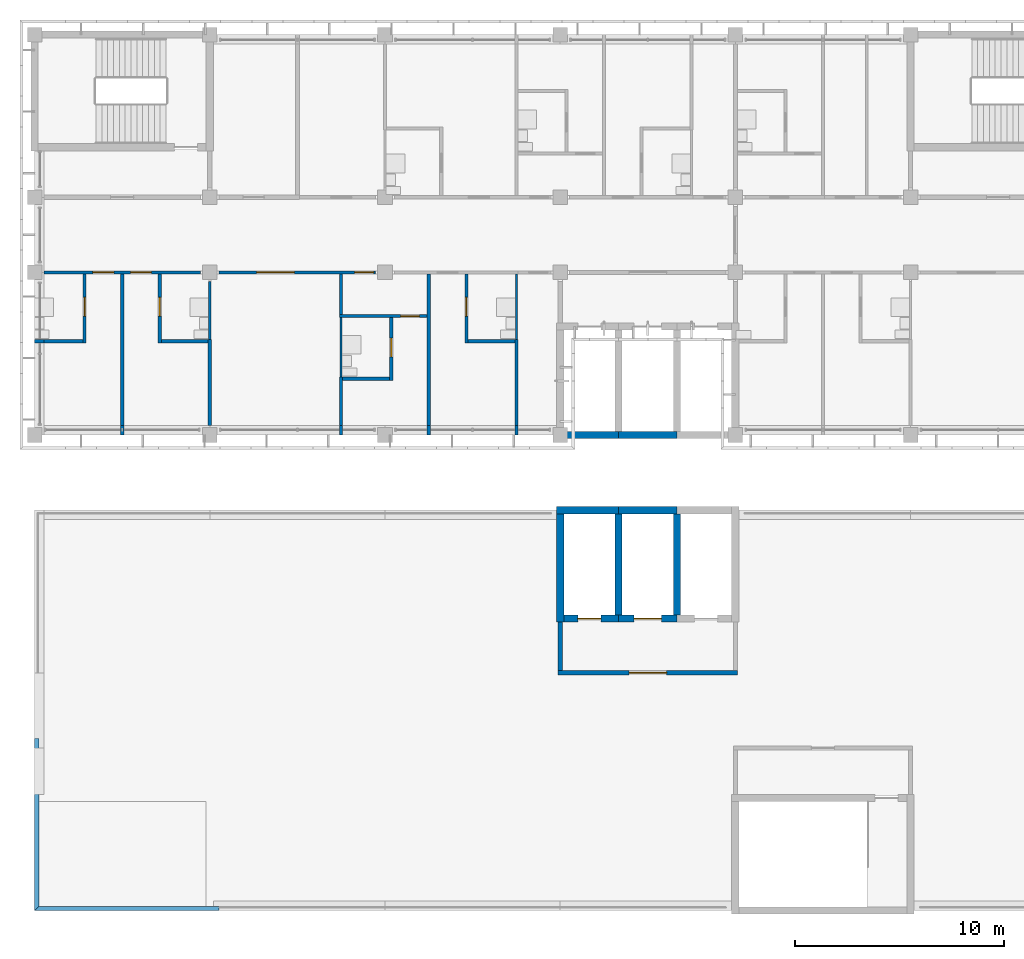
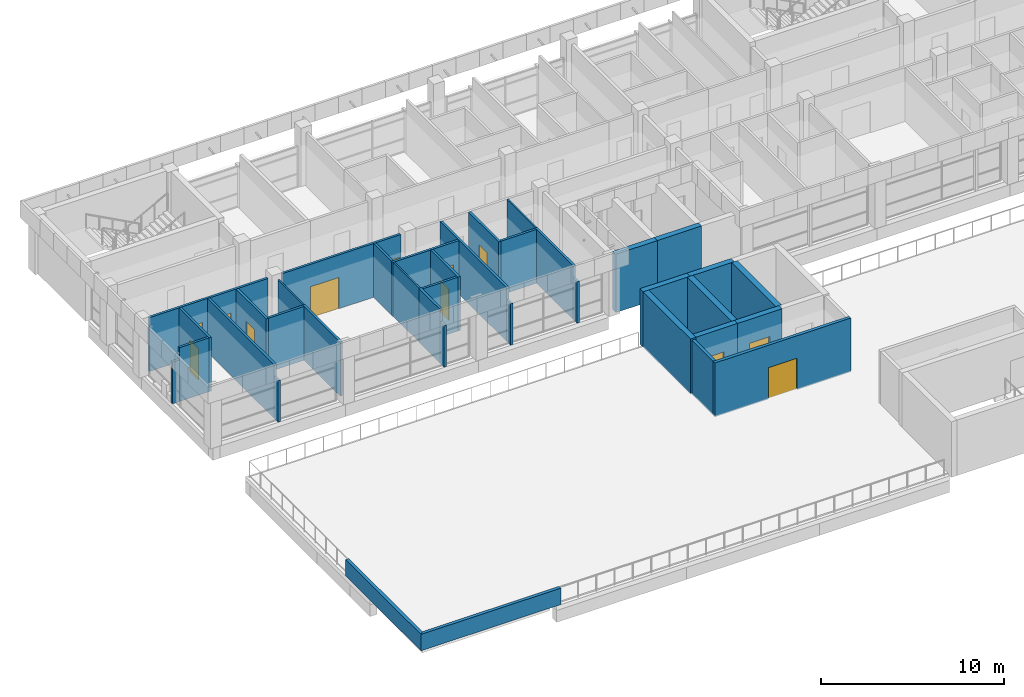
# One storey, part 18 of 46: 38 walls, 12 doors, 12 openings.
"""IFC4 building model written with IfcOpenShell, lengths in metres."""

import ifcopenshell
import ifcopenshell.guid

model = None  # the IFC model being written
_history = None  # IfcOwnerHistory: only IFC2X3 demands one
_inside = {}  # id of a spatial element -> (the spatial element, [elements in it])
_under = {}  # id of a project, library or spatial element -> (it, [spatial elements below it])
_declared = {}  # id of a project -> (the project, [libraries it declares])
_typed = {}  # id of a type object -> (the type object, [elements of that type])
_made_of = {}  # id of a material, layer set ... -> (it, [elements and type objects made of it])


def new_model(schema):
    """Start an empty IFC model of exactly this schema.

    Asked for "IFC4X3", IfcOpenShell would pick the latest addendum, in which some entities
    have other attributes; the version numbers below select the first issue.
    IFC2X3 requires an IfcOwnerHistory on every rooted entity: one is made here for all.
    """
    global model, _history
    if schema == "IFC4X3":
        model = ifcopenshell.file(schema_version=(4, 3, 0, 0))
    else:
        model = ifcopenshell.file(schema=schema)
    _inside.clear()
    _under.clear()
    _declared.clear()
    _typed.clear()
    _made_of.clear()
    _history = None
    if model.schema == "IFC2X3":
        org = make("IfcOrganization", Name="unknown")
        user = make(
            "IfcPersonAndOrganization",
            ThePerson=make("IfcPerson", FamilyName="unknown"),
            TheOrganization=org,
        )
        app = make(
            "IfcApplication",
            ApplicationDeveloper=org,
            Version="unknown",
            ApplicationFullName="unknown",
            ApplicationIdentifier="unknown",
        )
        _history = make(
            "IfcOwnerHistory",
            OwningUser=user,
            OwningApplication=app,
            ChangeAction="ADDED",
            CreationDate=0,
        )
    return model


def make(cls, **values):
    """One entity of the class cls with the attributes given. An attribute that is None is left unset."""
    return model.create_entity(
        cls, **{name: value for name, value in values.items() if value is not None}
    )


def rooted(cls, **values):
    """An entity with a GlobalId (a new one), such as an element, a storey or a relation."""
    return make(cls, GlobalId=ifcopenshell.guid.new(), OwnerHistory=_history, **values)


def si_unit(unit_type, name, prefix=None):
    """IfcSIUnit, for example si_unit("LENGTHUNIT", "METRE", prefix="MILLI")."""
    return make("IfcSIUnit", UnitType=unit_type, Prefix=prefix, Name=name)


def assignment(units):
    """IfcUnitAssignment: the units of a project."""
    return None if units is None else make("IfcUnitAssignment", Units=units)


def point(xyz):
    """IfcCartesianPoint."""
    return None if xyz is None else make("IfcCartesianPoint", Coordinates=xyz)


def direction(xyz):
    """IfcDirection."""
    return None if xyz is None else make("IfcDirection", DirectionRatios=xyz)


def frame(location, z_axis=None, x_axis=None):
    """IfcAxis2Placement3D, a coordinate frame: its origin and axes. An axis left out is left unset."""
    return make(
        "IfcAxis2Placement3D",
        Location=point(location),
        Axis=direction(z_axis),
        RefDirection=direction(x_axis),
    )


def frame_2d(location, x_axis=None):
    """IfcAxis2Placement2D, a coordinate frame in the plane: its origin and x axis."""
    return make(
        "IfcAxis2Placement2D", Location=point(location), RefDirection=direction(x_axis)
    )


def origin():
    """The frame at (0, 0, 0) with its axes left unset."""
    return frame((0.0, 0.0, 0.0))


def place(relative_to, where):
    """IfcLocalPlacement: puts the frame where relative to a parent placement (None: the world)."""
    return make(
        "IfcLocalPlacement", PlacementRelTo=relative_to, RelativePlacement=where
    )


def context(
    kind, dimensions, precision=None, world=None, true_north=None, identifier=None
):
    """IfcGeometricRepresentationContext, for example the 3D "Model" context."""
    return make(
        "IfcGeometricRepresentationContext",
        ContextIdentifier=identifier,
        ContextType=kind,
        CoordinateSpaceDimension=dimensions,
        Precision=precision,
        WorldCoordinateSystem=world,
        TrueNorth=true_north,
    )


def subcontext(parent, identifier, kind, view, scale=None):
    """IfcGeometricRepresentationSubContext, for example "Body" below "Model"."""
    return make(
        "IfcGeometricRepresentationSubContext",
        ContextIdentifier=identifier,
        ContextType=kind,
        ParentContext=parent,
        TargetScale=scale,
        TargetView=view,
    )


def project(units=None, contexts=None):
    """IfcProject with its units and contexts."""
    return rooted(
        "IfcProject",
        Name="project",
        RepresentationContexts=contexts,
        UnitsInContext=assignment(units),
    )


def spatial(cls, under=None, at=None, **own):
    """A site, building, storey or space (cls), placed at a placement, below another one or the project."""
    s = rooted(cls, ObjectPlacement=at, **own)
    if under is not None:
        _under.setdefault(under.id(), (under, []))[1].append(s)
    return s


def polyline(points):
    """IfcPolyline through the points."""
    return make("IfcPolyline", Points=[point(p) for p in points])


def profile(cls, at=None, kind="AREA", **sizes):
    """A parametric profile (cls). Its sizes go by their IFC names, for example OverallWidth=200.0."""
    return make(cls, ProfileType=kind, Position=at, **sizes)


def rectangle(**sizes):
    """IfcRectangleProfileDef."""
    return profile("IfcRectangleProfileDef", **sizes)


def outline(outer, holes=None, kind="AREA"):
    """IfcArbitraryClosedProfileDef: a profile drawn as a closed curve; with holes, ...WithVoids."""
    if holes is None:
        return make("IfcArbitraryClosedProfileDef", ProfileType=kind, OuterCurve=outer)
    return make(
        "IfcArbitraryProfileDefWithVoids",
        ProfileType=kind,
        OuterCurve=outer,
        InnerCurves=holes,
    )


def extrude(swept, where, along, depth):
    """IfcExtrudedAreaSolid: the profile swept, set in the frame where, extruded along a direction by depth."""
    return make(
        "IfcExtrudedAreaSolid",
        SweptArea=swept,
        Position=where,
        ExtrudedDirection=direction(along),
        Depth=depth,
    )


def shape(context_of_items, identifier, shape_type, items):
    """IfcShapeRepresentation: the items that make up one representation, for example the "Body"."""
    return make(
        "IfcShapeRepresentation",
        ContextOfItems=context_of_items,
        RepresentationIdentifier=identifier,
        RepresentationType=shape_type,
        Items=items,
    )


def material(Name=None, Category=None):
    """IfcMaterial."""
    return make("IfcMaterial", Name=Name, Category=Category)


def layer(
    of_material, thickness, ventilated=None, Name=None, Category=None, Priority=None
):
    """IfcMaterialLayer: one layer of a wall or slab, of a material (None: an air gap)."""
    return make(
        "IfcMaterialLayer",
        Material=of_material,
        LayerThickness=thickness,
        IsVentilated=ventilated,
        Name=Name,
        Category=Category,
        Priority=Priority,
    )


def layer_set(layers, Name=None):
    """IfcMaterialLayerSet."""
    return make("IfcMaterialLayerSet", MaterialLayers=layers, LayerSetName=Name)


def made_of(thing, what):
    """Note that an element or type object is made of a material, layer set ...; save() writes the relation."""
    if what is not None:
        _made_of.setdefault(what.id(), (what, []))[1].append(thing)
    return thing


def type_object(cls, material=None, **own):
    """A type object (cls), such as IfcWallType, which elements share."""
    return made_of(rooted(cls, **own), material)


def element(
    cls,
    number,
    at=None,
    inside=None,
    cuts=None,
    type_object=None,
    material=None,
    context=None,
    identifier="Body",
    shape_type=None,
    held_by="IfcProductDefinitionShape",
    body=None,
    shapes=None,
    **own,
):
    """One element of the class cls, such as IfcWall. Its Tag is "e" and its number.

    at: its placement. inside: the storey or other place that contains it. cuts: it is an
    opening in that element (IfcRelVoidsElement). A single representation is given by context,
    identifier, shape_type and body (its items); several are given by shapes. held_by: the class
    of the entity that holds the representations. save() writes the other relations.
    """
    e = rooted(cls, Tag="e%d" % number, ObjectPlacement=at, **own)
    if body is not None:
        shapes = [shape(context, identifier, shape_type, body)]
    if shapes is not None:
        e.Representation = make(held_by, Representations=shapes)
    if inside is not None:
        _inside.setdefault(inside.id(), (inside, []))[1].append(e)
    if cuts is not None:
        rooted(
            "IfcRelVoidsElement", RelatingBuildingElement=cuts, RelatedOpeningElement=e
        )
    if type_object is not None:
        _typed.setdefault(type_object.id(), (type_object, []))[1].append(e)
    return made_of(e, material)


def fill(opening, filler):
    """IfcRelFillsElement: the door or window that sits in an opening."""
    return rooted(
        "IfcRelFillsElement",
        RelatingOpeningElement=opening,
        RelatedBuildingElement=filler,
    )


def aggregate(whole, parts):
    """IfcRelAggregates: a whole, such as a stair, and the parts it consists of."""
    return rooted("IfcRelAggregates", RelatingObject=whole, RelatedObjects=parts)


def save(model, path):
    """Write the relations noted so far, then the file.

    IfcRelAggregates (storeys below a building ...), IfcRelContainedInSpatialStructure (elements
    in a storey), IfcRelDefinesByType, IfcRelAssociatesMaterial and IfcRelDeclares: one each for
    every whole, place, type object, material and project.
    """
    for whole, parts in _under.values():
        aggregate(whole, parts)
    for where, things in _inside.values():
        rooted(
            "IfcRelContainedInSpatialStructure",
            RelatedElements=things,
            RelatingStructure=where,
        )
    for kind, things in _typed.values():
        rooted("IfcRelDefinesByType", RelatedObjects=things, RelatingType=kind)
    for what, things in _made_of.values():
        rooted("IfcRelAssociatesMaterial", RelatedObjects=things, RelatingMaterial=what)
    for by, libraries in _declared.values():
        rooted("IfcRelDeclares", RelatingContext=by, RelatedDefinitions=libraries)
    model.write(path)


model = new_model("IFC4")

# Units and contexts
model_context = context("Model", 3, precision=1e-05, world=origin(), true_north=direction((0.0, 1.0)))
body_context = subcontext(model_context, "Body", "Model", "MODEL_VIEW")
ifc_project = project(units=[si_unit("LENGTHUNIT", "METRE"), si_unit("AREAUNIT", "SQUARE_METRE"), si_unit("VOLUMEUNIT", "CUBIC_METRE"), si_unit("PLANEANGLEUNIT", "RADIAN"), si_unit("MASSUNIT", "GRAM", prefix="KILO")], contexts=[model_context])

# Site, building, storey
site_placement = place(None, origin())
site = spatial("IfcSite", under=ifc_project, at=site_placement, CompositionType="ELEMENT")
building_placement = place(site_placement, origin())
building = spatial("IfcBuilding", under=site, at=building_placement, Name="Bougainvillea Quay General Hospital", CompositionType="ELEMENT")
storey_placement = place(building_placement, frame((0.0, 0.0, 28.800048828125)))
storey = spatial("IfcBuildingStorey", under=building, at=storey_placement, Name="L06", CompositionType="ELEMENT", Elevation=28.800048828125)

# Walls
ifc_material_1 = material(Name="Gypsum board partition on steel studs", Category="steel")
ifc_layer_1 = layer(ifc_material_1, 0.10009765625)
ifc_layer_set_1 = layer_set([ifc_layer_1], Name="Gypsum board partition on steel studs")
wall_type_1 = type_object("IfcWallType", Name="Partition 100 Gypsum board partition", PredefinedType="PARTITIONING", material=ifc_layer_set_1)
wall_1_placement = place(storey_placement, frame((50.39990234375, 144.97509765625, 0.0), z_axis=(0.0, 0.0, 1.0), x_axis=(0.0, 1.0, 0.0)))
element("IfcWall", 1, at=wall_1_placement, inside=storey, type_object=wall_type_1, Name="Partition 100 mm", PredefinedType="PARTITIONING", context=body_context, shape_type="SweptSolid", body=[
    extrude(rectangle(XDim=2.77490234375, YDim=0.10009765625, at=frame_2d((1.387451171875, 0.0))), origin(), (0.0, 0.0, 1.0), 3.599853515625),
])
wall_2_placement = place(storey_placement, frame((65.10009765625, 144.97509765625, 0.0), z_axis=(0.0, 0.0, 1.0), x_axis=(0.0, 1.0, 0.0)))
element("IfcWall", 2, at=wall_2_placement, inside=storey, type_object=wall_type_1, Name="Partition 100 mm", PredefinedType="PARTITIONING", context=body_context, shape_type="SweptSolid", body=[
    extrude(rectangle(XDim=3.14990234375, YDim=0.10009765625, at=frame_2d((1.574951171875, 0.0))), origin(), (0.0, 0.0, 1.0), 3.599853515625),
])
wall_3_placement = place(storey_placement, frame((56.699951171875, 143.175048828125, 0.0), z_axis=(0.0, 0.0, 1.0), x_axis=(0.0, 1.0, 0.0)))
element("IfcWall", 3, at=wall_3_placement, inside=storey, type_object=wall_type_1, Name="Partition 100 mm", PredefinedType="PARTITIONING", context=body_context, shape_type="SweptSolid", body=[
    extrude(rectangle(XDim=2.849853515625, YDim=0.10009765625, at=frame_2d((1.4248046875, 0.0))), origin(), (0.0, 0.0, 1.0), 3.599853515625),
])
ifc_material_2 = material(Name="Gypsum board partition on steel studs, insulated", Category="steel")
ifc_layer_2 = layer(ifc_material_2, 0.14990234375)
ifc_layer_set_2 = layer_set([ifc_layer_2], Name="Gypsum board partition on steel studs, insulated")
wall_type_2 = type_object("IfcWallType", Name="Partition 150 Gypsum board partition", PredefinedType="PARTITIONING", material=ifc_layer_set_2)
wall_4_placement = place(storey_placement, frame((46.199951171875, 140.39990234375, 0.0), z_axis=(0.0, 0.0, 1.0), x_axis=(0.0, 1.0, 0.0)))
element("IfcWall", 4, at=wall_4_placement, inside=storey, type_object=wall_type_2, Name="Partition 150 mm", PredefinedType="PARTITIONING", context=body_context, shape_type="SweptSolid", body=[
    extrude(rectangle(XDim=0.4501953125, YDim=0.14990234375, at=frame_2d((0.22509765625, 0.0))), origin(), (0.0, 0.0, 1.0), 2.780029296875),
])
wall_5_placement = place(storey_placement, frame((46.199951171875, 140.85009765625, 0.0), z_axis=(0.0, 0.0, 1.0), x_axis=(0.0, 1.0, 0.0)))
element("IfcWall", 5, at=wall_5_placement, inside=storey, type_object=wall_type_2, Name="Partition 150 mm", PredefinedType="PARTITIONING", context=body_context, shape_type="SweptSolid", body=[
    extrude(rectangle(XDim=7.27490234375, YDim=0.14990234375, at=frame_2d((3.637451171875, 0.0))), origin(), (0.0, 0.0, 1.0), 3.599853515625),
])
wall_6_placement = place(storey_placement, frame((60.89990234375, 140.39990234375, 0.0), z_axis=(0.0, 0.0, 1.0), x_axis=(0.0, 1.0, 0.0)))
element("IfcWall", 6, at=wall_6_placement, inside=storey, type_object=wall_type_2, Name="Partition 150 mm", PredefinedType="PARTITIONING", context=body_context, shape_type="SweptSolid", body=[
    extrude(rectangle(XDim=0.4501953125, YDim=0.14990234375, at=frame_2d((0.22509765625, 0.0))), origin(), (0.0, 0.0, 1.0), 2.780029296875),
])
wall_7_placement = place(storey_placement, frame((60.89990234375, 140.85009765625, 0.0), z_axis=(0.0, 0.0, 1.0), x_axis=(0.0, 1.0, 0.0)))
element("IfcWall", 7, at=wall_7_placement, inside=storey, type_object=wall_type_2, Name="Partition 150 mm", PredefinedType="PARTITIONING", context=body_context, shape_type="SweptSolid", body=[
    extrude(rectangle(XDim=7.27490234375, YDim=0.14990234375, at=frame_2d((3.637451171875, 0.0))), origin(), (0.0, 0.0, 1.0), 3.599853515625),
])
wall_8_placement = place(storey_placement, frame((50.39990234375, 140.85009765625, 0.0), z_axis=(0.0, 0.0, 1.0), x_axis=(0.0, 1.0, 0.0)))
element("IfcWall", 8, at=wall_8_placement, inside=storey, type_object=wall_type_2, Name="Partition 150 mm", PredefinedType="PARTITIONING", context=body_context, shape_type="SweptSolid", body=[
    extrude(rectangle(XDim=4.125, YDim=0.14990234375, at=frame_2d((2.0625, 0.0))), origin(), (0.0, 0.0, 1.0), 3.599853515625),
])
wall_9_placement = place(storey_placement, frame((65.10009765625, 140.39990234375, 0.0), z_axis=(0.0, 0.0, 1.0), x_axis=(0.0, 1.0, 0.0)))
element("IfcWall", 9, at=wall_9_placement, inside=storey, type_object=wall_type_2, Name="Partition 150 mm", PredefinedType="PARTITIONING", context=body_context, shape_type="SweptSolid", body=[
    extrude(rectangle(XDim=0.4501953125, YDim=0.14990234375, at=frame_2d((0.22509765625, 0.0))), origin(), (0.0, 0.0, 1.0), 2.780029296875),
])
wall_10_placement = place(storey_placement, frame((65.10009765625, 140.85009765625, 0.0), z_axis=(0.0, 0.0, 1.0), x_axis=(0.0, 1.0, 0.0)))
element("IfcWall", 10, at=wall_10_placement, inside=storey, type_object=wall_type_2, Name="Partition 150 mm", PredefinedType="PARTITIONING", context=body_context, shape_type="SweptSolid", body=[
    extrude(rectangle(XDim=4.125, YDim=0.14990234375, at=frame_2d((2.0625, 0.0))), origin(), (0.0, 0.0, 1.0), 3.599853515625),
])

# Wall, opening, door
wall_11_placement = place(storey_placement, frame((56.625, 146.10009765625, 0.0), z_axis=(0.0, 0.0, 1.0), x_axis=(1.0, 0.0, 0.0)))
wall_11 = element("IfcWall", 11, at=wall_11_placement, inside=storey, type_object=wall_type_2, Name="Partition 150 mm", PredefinedType="PARTITIONING", context=body_context, shape_type="SweptSolid", body=[
    extrude(rectangle(XDim=4.199951171875, YDim=0.14990234375, at=frame_2d((2.10009765625, 0.0))), origin(), (0.0, 0.0, 1.0), 3.599853515625),
])
opening_1_placement = place(wall_11_placement, frame((2.925048828125, 0.0, 0.0)))
opening_1 = element("IfcOpeningElement", 12, at=opening_1_placement, cuts=wall_11, Name="Opening L06.010", PredefinedType="OPENING", context=body_context, shape_type="SweptSolid", body=[
    extrude(rectangle(XDim=0.89990234375, YDim=2.10009765625, at=frame_2d((0.449951171875, 1.050048828125))), frame((0.0, 0.0849609375, 0.0), z_axis=(0.0, -1.0, 0.0), x_axis=(1.0, 0.0, 0.0)), (0.0, 0.0, 1.0), 0.169921875),
])
ifc_material_3 = material(Name="Solid-core timber door leaf in steel frame", Category="steel")
door_type_1 = type_object("IfcDoorType", Name="Single leaf door 900x2100 FD30S", OperationType="NOTDEFINED", PredefinedType="DOOR", material=ifc_material_3)
door_1_placement = place(opening_1_placement, frame((0.89990234375, 0.0, 0.0), z_axis=(0.0, 0.0, 1.0), x_axis=(-1.0, 0.0, 0.0)))
door_1 = element("IfcDoor", 13, at=door_1_placement, inside=storey, type_object=door_type_1, Name="DT16 L06.010", OperationType="SINGLE_SWING_LEFT", OverallHeight=2.10009765625, OverallWidth=0.89990234375, PredefinedType="DOOR", context=body_context, shape_type="SweptSolid", body=[
    extrude(rectangle(XDim=0.89990234375, YDim=2.10009765625, at=frame_2d((0.449951171875, 1.050048828125))), frame((0.0, 0.02490234375, 0.0), z_axis=(0.0, -1.0, 0.0), x_axis=(1.0, 0.0, 0.0)), (0.0, 0.0, 1.0), 0.050048828125),
])
fill(opening_1, door_1)

wall_12_placement = place(storey_placement, frame((44.39990234375, 144.824951171875, 0.0), z_axis=(0.0, 0.0, 1.0), x_axis=(0.0, 1.0, 0.0)))
wall_12 = element("IfcWall", 14, at=wall_12_placement, inside=storey, type_object=wall_type_2, Name="Partition 150 mm", PredefinedType="PARTITIONING", context=body_context, shape_type="SweptSolid", body=[
    extrude(rectangle(XDim=3.300048828125, YDim=0.14990234375, at=frame_2d((1.64990234375, 0.0))), origin(), (0.0, 0.0, 1.0), 3.599853515625),
])
opening_2_placement = place(wall_12_placement, frame((1.27490234375, 0.0, 0.0)))
opening_2 = element("IfcOpeningElement", 15, at=opening_2_placement, cuts=wall_12, Name="Opening L06.005", PredefinedType="OPENING", context=body_context, shape_type="SweptSolid", body=[
    extrude(rectangle(XDim=0.89990234375, YDim=2.10009765625, at=frame_2d((0.449951171875, 1.050048828125))), frame((0.0, 0.0849609375, 0.0), z_axis=(0.0, -1.0, 0.0), x_axis=(1.0, 0.0, 0.0)), (0.0, 0.0, 1.0), 0.169921875),
])
door_type_2 = type_object("IfcDoorType", Name="Single leaf door 900x2100", OperationType="NOTDEFINED", PredefinedType="DOOR", material=ifc_material_3)
door_2_placement = place(opening_2_placement, origin())
door_2 = element("IfcDoor", 16, at=door_2_placement, inside=storey, type_object=door_type_2, Name="DT07 L06.005", OperationType="SINGLE_SWING_RIGHT", OverallHeight=2.10009765625, OverallWidth=0.89990234375, PredefinedType="DOOR", context=body_context, shape_type="SweptSolid", body=[
    extrude(rectangle(XDim=0.89990234375, YDim=2.10009765625, at=frame_2d((0.449951171875, 1.050048828125))), frame((0.0, 0.02490234375, 0.0), z_axis=(0.0, -1.0, 0.0), x_axis=(1.0, 0.0, 0.0)), (0.0, 0.0, 1.0), 0.050048828125),
])
fill(opening_2, door_2)

wall_13_placement = place(storey_placement, frame((48.0, 144.824951171875, 0.0), z_axis=(0.0, 0.0, 1.0), x_axis=(0.0, 1.0, 0.0)))
wall_13 = element("IfcWall", 17, at=wall_13_placement, inside=storey, type_object=wall_type_2, Name="Partition 150 mm", PredefinedType="PARTITIONING", context=body_context, shape_type="SweptSolid", body=[
    extrude(rectangle(XDim=3.300048828125, YDim=0.14990234375, at=frame_2d((1.64990234375, 0.0))), origin(), (0.0, 0.0, 1.0), 3.599853515625),
])
opening_3_placement = place(wall_13_placement, frame((1.27490234375, 0.0, 0.0)))
opening_3 = element("IfcOpeningElement", 18, at=opening_3_placement, cuts=wall_13, Name="Opening L06.007", PredefinedType="OPENING", context=body_context, shape_type="SweptSolid", body=[
    extrude(rectangle(XDim=0.89990234375, YDim=2.10009765625, at=frame_2d((0.449951171875, 1.050048828125))), frame((0.0, 0.0849609375, 0.0), z_axis=(0.0, -1.0, 0.0), x_axis=(1.0, 0.0, 0.0)), (0.0, 0.0, 1.0), 0.169921875),
])
door_3_placement = place(opening_3_placement, frame((0.89990234375, 0.0, 0.0), z_axis=(0.0, 0.0, 1.0), x_axis=(-1.0, 0.0, 0.0)))
door_3 = element("IfcDoor", 19, at=door_3_placement, inside=storey, type_object=door_type_2, Name="DT07 L06.007", OperationType="SINGLE_SWING_LEFT", OverallHeight=2.10009765625, OverallWidth=0.89990234375, PredefinedType="DOOR", context=body_context, shape_type="SweptSolid", body=[
    extrude(rectangle(XDim=0.89990234375, YDim=2.10009765625, at=frame_2d((0.449951171875, 1.050048828125))), frame((0.0, 0.02490234375, 0.0), z_axis=(0.0, -1.0, 0.0), x_axis=(1.0, 0.0, 0.0)), (0.0, 0.0, 1.0), 0.050048828125),
])
fill(opening_3, door_3)

wall_14_placement = place(storey_placement, frame((62.699951171875, 144.824951171875, 0.0), z_axis=(0.0, 0.0, 1.0), x_axis=(0.0, 1.0, 0.0)))
wall_14 = element("IfcWall", 20, at=wall_14_placement, inside=storey, type_object=wall_type_2, Name="Partition 150 mm", PredefinedType="PARTITIONING", context=body_context, shape_type="SweptSolid", body=[
    extrude(rectangle(XDim=3.300048828125, YDim=0.14990234375, at=frame_2d((1.64990234375, 0.0))), origin(), (0.0, 0.0, 1.0), 3.599853515625),
])
opening_4_placement = place(wall_14_placement, frame((1.27490234375, 0.0, 0.0)))
opening_4 = element("IfcOpeningElement", 21, at=opening_4_placement, cuts=wall_14, Name="Opening L06.013", PredefinedType="OPENING", context=body_context, shape_type="SweptSolid", body=[
    extrude(rectangle(XDim=0.89990234375, YDim=2.10009765625, at=frame_2d((0.449951171875, 1.050048828125))), frame((0.0, 0.0849609375, 0.0), z_axis=(0.0, -1.0, 0.0), x_axis=(1.0, 0.0, 0.0)), (0.0, 0.0, 1.0), 0.169921875),
])
door_4_placement = place(opening_4_placement, frame((0.89990234375, 0.0, 0.0), z_axis=(0.0, 0.0, 1.0), x_axis=(-1.0, 0.0, 0.0)))
door_4 = element("IfcDoor", 22, at=door_4_placement, inside=storey, type_object=door_type_2, Name="DT07 L06.013", OperationType="SINGLE_SWING_LEFT", OverallHeight=2.10009765625, OverallWidth=0.89990234375, PredefinedType="DOOR", context=body_context, shape_type="SweptSolid", body=[
    extrude(rectangle(XDim=0.89990234375, YDim=2.10009765625, at=frame_2d((0.449951171875, 1.050048828125))), frame((0.0, 0.02490234375, 0.0), z_axis=(0.0, -1.0, 0.0), x_axis=(1.0, 0.0, 0.0)), (0.0, 0.0, 1.0), 0.050048828125),
])
fill(opening_4, door_4)

wall_15_placement = place(storey_placement, frame((59.10009765625, 143.02490234375, 0.0), z_axis=(0.0, 0.0, 1.0), x_axis=(0.0, 1.0, 0.0)))
wall_15 = element("IfcWall", 23, at=wall_15_placement, inside=storey, type_object=wall_type_2, Name="Partition 150 mm", PredefinedType="PARTITIONING", context=body_context, shape_type="SweptSolid", body=[
    extrude(rectangle(XDim=3.0, YDim=0.14990234375, at=frame_2d((1.5, 0.0))), origin(), (0.0, 0.0, 1.0), 3.599853515625),
])
opening_5_placement = place(wall_15_placement, frame((1.125, 0.0, 0.0)))
opening_5 = element("IfcOpeningElement", 24, at=opening_5_placement, cuts=wall_15, Name="Opening L06.011", PredefinedType="OPENING", context=body_context, shape_type="SweptSolid", body=[
    extrude(rectangle(XDim=0.89990234375, YDim=2.10009765625, at=frame_2d((0.449951171875, 1.050048828125))), frame((0.0, 0.0849609375, 0.0), z_axis=(0.0, -1.0, 0.0), x_axis=(1.0, 0.0, 0.0)), (0.0, 0.0, 1.0), 0.169921875),
])
door_5_placement = place(opening_5_placement, origin())
door_5 = element("IfcDoor", 25, at=door_5_placement, inside=storey, type_object=door_type_2, Name="DT07 L06.011", OperationType="SINGLE_SWING_RIGHT", OverallHeight=2.10009765625, OverallWidth=0.89990234375, PredefinedType="DOOR", context=body_context, shape_type="SweptSolid", body=[
    extrude(rectangle(XDim=0.89990234375, YDim=2.10009765625, at=frame_2d((0.449951171875, 1.050048828125))), frame((0.0, 0.02490234375, 0.0), z_axis=(0.0, -1.0, 0.0), x_axis=(1.0, 0.0, 0.0)), (0.0, 0.0, 1.0), 0.050048828125),
])
fill(opening_5, door_5)

# Walls
wall_16_placement = place(storey_placement, frame((56.699951171875, 140.39990234375, 0.0), z_axis=(0.0, 0.0, 1.0), x_axis=(0.0, 1.0, 0.0)))
element("IfcWall", 26, at=wall_16_placement, inside=storey, type_object=wall_type_2, Name="Partition 150 mm", PredefinedType="PARTITIONING", context=body_context, shape_type="SweptSolid", body=[
    extrude(rectangle(XDim=0.4501953125, YDim=0.14990234375, at=frame_2d((0.22509765625, 0.0))), origin(), (0.0, 0.0, 1.0), 2.780029296875),
])
wall_17_placement = place(storey_placement, frame((56.699951171875, 140.85009765625, 0.0), z_axis=(0.0, 0.0, 1.0), x_axis=(0.0, 1.0, 0.0)))
element("IfcWall", 27, at=wall_17_placement, inside=storey, type_object=wall_type_2, Name="Partition 150 mm", PredefinedType="PARTITIONING", context=body_context, shape_type="SweptSolid", body=[
    extrude(rectangle(XDim=2.324951171875, YDim=0.14990234375, at=frame_2d((1.16259765625, 0.0))), origin(), (0.0, 0.0, 1.0), 3.599853515625),
])
wall_18_placement = place(storey_placement, frame((42.0, 144.89990234375, 0.0), z_axis=(0.0, 0.0, 1.0), x_axis=(1.0, 0.0, 0.0)))
element("IfcWall", 28, at=wall_18_placement, inside=storey, type_object=wall_type_2, Name="Partition 150 mm", PredefinedType="PARTITIONING", context=body_context, shape_type="SweptSolid", body=[
    extrude(rectangle(XDim=0.449951171875, YDim=0.14990234375, at=frame_2d((0.22509765625, 0.0))), origin(), (0.0, 0.0, 1.0), 2.780029296875),
])
wall_19_placement = place(storey_placement, frame((42.449951171875, 144.89990234375, 0.0), z_axis=(0.0, 0.0, 1.0), x_axis=(1.0, 0.0, 0.0)))
element("IfcWall", 29, at=wall_19_placement, inside=storey, type_object=wall_type_2, Name="Partition 150 mm", PredefinedType="PARTITIONING", context=body_context, shape_type="SweptSolid", body=[
    extrude(rectangle(XDim=1.875, YDim=0.14990234375, at=frame_2d((0.9375, 0.0))), origin(), (0.0, 0.0, 1.0), 3.599853515625),
])
for number, where, z_axis, x_axis, name in (
    (30, (48.074951171875, 144.89990234375, 0.0), (0.0, 0.0, 1.0), (1.0, 0.0, 0.0), "Partition 150 mm"),
    (31, (56.77490234375, 143.10009765625, 0.0), (0.0, 0.0, 1.0), (1.0, 0.0, 0.0), "Partition 150 mm"),
    (32, (62.77490234375, 144.89990234375, 0.0), (0.0, 0.0, 1.0), (1.0, 0.0, 0.0), "Partition 150 mm"),
):
    element("IfcWall", number, at=place(storey_placement, frame(where, z_axis=z_axis, x_axis=x_axis)), inside=storey, type_object=wall_type_2, Name=name, PredefinedType="PARTITIONING", context=body_context, shape_type="SweptSolid", body=[
        extrude(rectangle(XDim=2.25, YDim=0.14990234375, at=frame_2d((1.125, 0.0))), origin(), (0.0, 0.0, 1.0), 3.599853515625),
    ])
wall_20_placement = place(storey_placement, frame((56.699951171875, 146.175048828125, 0.0), z_axis=(0.0, 0.0, 1.0), x_axis=(0.0, 1.0, 0.0)))
element("IfcWall", 33, at=wall_20_placement, inside=storey, type_object=wall_type_2, Name="Partition 150 mm", PredefinedType="PARTITIONING", context=body_context, shape_type="SweptSolid", body=[
    extrude(rectangle(XDim=1.949951171875, YDim=0.14990234375, at=frame_2d((0.97509765625, 0.0))), origin(), (0.0, 0.0, 1.0), 3.599853515625),
])

# Wall, openings, doors
ifc_layer_3 = layer(ifc_material_2, 0.14990234375)
ifc_layer_set_3 = layer_set([ifc_layer_3], Name="Gypsum board partition on steel studs, insulated")
wall_type_3 = type_object("IfcWallType", Name="Partition 150 Gypsum board partition EI 30", PredefinedType="PARTITIONING", material=ifc_layer_set_3)
wall_21_placement = place(storey_placement, frame((58.35009765625, 148.199951171875, 0.0), z_axis=(0.0, 0.0, 1.0), x_axis=(-1.0, 0.0, 0.0)))
wall_21 = element("IfcWall", 34, at=wall_21_placement, inside=storey, type_object=wall_type_3, Name="Partition 150 mm EI 30", PredefinedType="PARTITIONING", context=body_context, shape_type="SweptSolid", body=[
    extrude(rectangle(XDim=7.5, YDim=0.14990234375, at=frame_2d((3.75, 0.0))), origin(), (0.0, 0.0, 1.0), 3.599853515625),
])
opening_6_placement = place(wall_21_placement, frame((3.89990234375, 0.0, 0.0)))
opening_6 = element("IfcOpeningElement", 35, at=opening_6_placement, cuts=wall_21, Name="Opening L06.008", PredefinedType="OPENING", context=body_context, shape_type="SweptSolid", body=[
    extrude(rectangle(XDim=1.800048828125, YDim=2.10009765625, at=frame_2d((0.89990234375, 1.050048828125))), frame((0.0, 0.0849609375, 0.0), z_axis=(0.0, -1.0, 0.0), x_axis=(1.0, 0.0, 0.0)), (0.0, 0.0, 1.0), 0.169921875),
])
opening_7_placement = place(wall_21_placement, frame((0.10009765625, 0.0, 0.0)))
opening_7 = element("IfcOpeningElement", 36, at=opening_7_placement, cuts=wall_21, Name="Opening L06.009", PredefinedType="OPENING", context=body_context, shape_type="SweptSolid", body=[
    extrude(rectangle(XDim=0.89990234375, YDim=2.10009765625, at=frame_2d((0.449951171875, 1.050048828125))), frame((0.0, 0.0849609375, 0.0), z_axis=(0.0, -1.0, 0.0), x_axis=(1.0, 0.0, 0.0)), (0.0, 0.0, 1.0), 0.169921875),
])
ifc_material_4 = material(Name="Solid-core timber door leaves in steel frame", Category="steel")
door_type_3 = type_object("IfcDoorType", Name="Double leaf door 1800x2100 FD30S", OperationType="DOUBLE_DOOR_SINGLE_SWING", PredefinedType="DOOR", material=ifc_material_4)
door_6_placement = place(opening_6_placement, origin())
door_6 = element("IfcDoor", 37, at=door_6_placement, inside=storey, type_object=door_type_3, Name="DT17 L06.008", OperationType="DOUBLE_DOOR_SINGLE_SWING", OverallHeight=2.10009765625, OverallWidth=1.800048828125, PredefinedType="DOOR", context=body_context, shape_type="SweptSolid", body=[
    extrude(rectangle(XDim=1.800048828125, YDim=2.10009765625, at=frame_2d((0.89990234375, 1.050048828125))), frame((0.0, 0.02490234375, 0.0), z_axis=(0.0, -1.0, 0.0), x_axis=(1.0, 0.0, 0.0)), (0.0, 0.0, 1.0), 0.050048828125),
])
fill(opening_6, door_6)
door_7_placement = place(opening_7_placement, origin())
door_7 = element("IfcDoor", 38, at=door_7_placement, inside=storey, type_object=door_type_1, Name="DT16 L06.009", OperationType="SINGLE_SWING_LEFT", OverallHeight=2.10009765625, OverallWidth=0.89990234375, PredefinedType="DOOR", context=body_context, shape_type="SweptSolid", body=[
    extrude(rectangle(XDim=0.89990234375, YDim=2.10009765625, at=frame_2d((0.449951171875, 1.050048828125))), frame((0.0, 0.02490234375, 0.0), z_axis=(0.0, -1.0, 0.0), x_axis=(1.0, 0.0, 0.0)), (0.0, 0.0, 1.0), 0.050048828125),
])
fill(opening_7, door_7)

wall_22_placement = place(storey_placement, frame((49.949951171875, 148.199951171875, 0.0), z_axis=(0.0, 0.0, 1.0), x_axis=(-1.0, 0.0, 0.0)))
wall_22 = element("IfcWall", 39, at=wall_22_placement, inside=storey, type_object=wall_type_3, Name="Partition 150 mm EI 30", PredefinedType="PARTITIONING", context=body_context, shape_type="SweptSolid", body=[
    extrude(rectangle(XDim=7.5, YDim=0.14990234375, at=frame_2d((3.75, 0.0))), origin(), (0.0, 0.0, 1.0), 3.599853515625),
])
opening_8_placement = place(wall_22_placement, frame((4.14990234375, 0.0, 0.0)))
opening_8 = element("IfcOpeningElement", 40, at=opening_8_placement, cuts=wall_22, Name="Opening L06.004", PredefinedType="OPENING", context=body_context, shape_type="SweptSolid", body=[
    extrude(rectangle(XDim=1.0, YDim=2.10009765625, at=frame_2d((0.5, 1.050048828125))), frame((0.0, 0.0849609375, 0.0), z_axis=(0.0, -1.0, 0.0), x_axis=(1.0, 0.0, 0.0)), (0.0, 0.0, 1.0), 0.169921875),
])
opening_9_placement = place(wall_22_placement, frame((2.35009765625, 0.0, 0.0)))
opening_9 = element("IfcOpeningElement", 41, at=opening_9_placement, cuts=wall_22, Name="Opening L06.006", PredefinedType="OPENING", context=body_context, shape_type="SweptSolid", body=[
    extrude(rectangle(XDim=1.0, YDim=2.10009765625, at=frame_2d((0.5, 1.050048828125))), frame((0.0, 0.0849609375, 0.0), z_axis=(0.0, -1.0, 0.0), x_axis=(1.0, 0.0, 0.0)), (0.0, 0.0, 1.0), 0.169921875),
])
door_type_4 = type_object("IfcDoorType", Name="Single leaf door 1000x2100 FD30S", OperationType="NOTDEFINED", PredefinedType="DOOR", material=ifc_material_3)
door_8_placement = place(opening_8_placement, origin())
door_8 = element("IfcDoor", 42, at=door_8_placement, inside=storey, type_object=door_type_4, Name="DT15 L06.004", OperationType="SINGLE_SWING_RIGHT", OverallHeight=2.10009765625, OverallWidth=1.0, PredefinedType="DOOR", context=body_context, shape_type="SweptSolid", body=[
    extrude(rectangle(XDim=1.0, YDim=2.10009765625, at=frame_2d((0.5, 1.050048828125))), frame((0.0, 0.02490234375, 0.0), z_axis=(0.0, -1.0, 0.0), x_axis=(1.0, 0.0, 0.0)), (0.0, 0.0, 1.0), 0.050048828125),
])
fill(opening_8, door_8)
door_9_placement = place(opening_9_placement, origin())
door_9 = element("IfcDoor", 43, at=door_9_placement, inside=storey, type_object=door_type_4, Name="DT15 L06.006", OperationType="SINGLE_SWING_LEFT", OverallHeight=2.10009765625, OverallWidth=1.0, PredefinedType="DOOR", context=body_context, shape_type="SweptSolid", body=[
    extrude(rectangle(XDim=1.0, YDim=2.10009765625, at=frame_2d((0.5, 1.050048828125))), frame((0.0, 0.02490234375, 0.0), z_axis=(0.0, -1.0, 0.0), x_axis=(1.0, 0.0, 0.0)), (0.0, 0.0, 1.0), 0.050048828125),
])
fill(opening_9, door_9)

# Wall, opening, door
ifc_material_5 = material(Name="Fire-rated autoclaved aerated block wall, plastered")
ifc_layer_4 = layer(ifc_material_5, 0.199951171875)
ifc_layer_set_4 = layer_set([ifc_layer_4], Name="Fire-rated autoclaved aerated block wall, plastered")
wall_type_4 = type_object("IfcWallType", Name="Partition 200 Fire-rated autoclaved aerated block wall EI 120", PredefinedType="SOLIDWALL", material=ifc_layer_set_4)
wall_23_placement = place(storey_placement, frame((67.10009765625, 129.0, 0.0), z_axis=(0.0, 0.0, 1.0), x_axis=(1.0, 0.0, 0.0)))
wall_23 = element("IfcWall", 44, at=wall_23_placement, inside=storey, type_object=wall_type_4, Name="Partition 200 mm EI 120", PredefinedType="SOLIDWALL", context=body_context, shape_type="SweptSolid", body=[
    extrude(rectangle(XDim=8.599853515625, YDim=0.199951171875, at=frame_2d((4.2998046875, 0.0))), origin(), (0.0, 0.0, 1.0), 3.599853515625),
])
opening_10_placement = place(wall_23_placement, frame((3.39990234375, 0.0, 0.0)))
opening_10 = element("IfcOpeningElement", 45, at=opening_10_placement, cuts=wall_23, Name="Opening L06.107", PredefinedType="OPENING", context=body_context, shape_type="SweptSolid", body=[
    extrude(rectangle(XDim=1.800048828125, YDim=2.10009765625, at=frame_2d((0.89990234375, 1.050048828125))), frame((0.0, 0.10986328125, 0.0), z_axis=(0.0, -1.0, 0.0), x_axis=(1.0, 0.0, 0.0)), (0.0, 0.0, 1.0), 0.219970703125),
])
ifc_material_6 = material(Name="Steel fire door leaves in steel frame", Category="steel")
door_type_5 = type_object("IfcDoorType", Name="Steel double leaf door 1800x2100 FD60", OperationType="DOUBLE_DOOR_SINGLE_SWING", PredefinedType="DOOR", material=ifc_material_6)
door_10_placement = place(opening_10_placement, origin())
door_10 = element("IfcDoor", 46, at=door_10_placement, inside=storey, type_object=door_type_5, Name="DT05 L06.107", OperationType="DOUBLE_DOOR_SINGLE_SWING", OverallHeight=2.10009765625, OverallWidth=1.800048828125, PredefinedType="DOOR", context=body_context, shape_type="SweptSolid", body=[
    extrude(rectangle(XDim=1.800048828125, YDim=2.10009765625, at=frame_2d((0.89990234375, 1.050048828125))), frame((0.0, 0.02490234375, 0.0), z_axis=(0.0, -1.0, 0.0), x_axis=(1.0, 0.0, 0.0)), (0.0, 0.0, 1.0), 0.050048828125),
])
fill(opening_10, door_10)

# Walls
wall_24_placement = place(storey_placement, frame((67.199951171875, 129.10009765625, 0.0), z_axis=(0.0, 0.0, 1.0), x_axis=(0.0, 1.0, 0.0)))
element("IfcWall", 47, at=wall_24_placement, inside=storey, type_object=wall_type_4, Name="Partition 200 mm EI 120", PredefinedType="SOLIDWALL", context=body_context, shape_type="SweptSolid", body=[
    extrude(rectangle(XDim=2.324951171875, YDim=0.199951171875, at=frame_2d((1.16259765625, 0.0))), origin(), (0.0, 0.0, 1.0), 3.599853515625),
])
ifc_material_7 = material(Name="Concrete C40", Category="concrete")
ifc_layer_5 = layer(ifc_material_7, 0.35009765625)
ifc_layer_set_5 = layer_set([ifc_layer_5], Name="Concrete C40")
wall_type_5 = type_object("IfcWallType", Name="RC SHEAR WALL 350 C40", PredefinedType="SHEAR", material=ifc_layer_set_5)
wall_25_placement = place(storey_placement, frame((67.02490234375, 136.800048828125, 0.0), z_axis=(0.0, 0.0, 1.0), x_axis=(1.0, 0.0, 0.0)))
element("IfcWall", 48, at=wall_25_placement, inside=storey, type_object=wall_type_5, Name="Shear wall L06", PredefinedType="SHEAR", context=body_context, shape_type="SweptSolid", body=[
    extrude(rectangle(XDim=2.97509765625, YDim=0.35009765625, at=frame_2d((1.487548828125, 0.0))), origin(), (0.0, 0.0, 1.0), 3.699951171875),
])
wall_26_placement = place(storey_placement, frame((67.199951171875, 131.425048828125, 0.0), z_axis=(0.0, 0.0, 1.0), x_axis=(0.0, 1.0, 0.0)))
element("IfcWall", 49, at=wall_26_placement, inside=storey, type_object=wall_type_5, Name="Shear wall L06", PredefinedType="SHEAR", context=body_context, shape_type="SweptSolid", body=[
    extrude(rectangle(XDim=5.199951171875, YDim=0.35009765625, at=frame_2d((2.60009765625, 0.0))), origin(), (0.0, 0.0, 1.0), 3.699951171875),
])

# Wall, opening, door
wall_27_placement = place(storey_placement, frame((67.375, 131.60009765625, 0.0), z_axis=(0.0, 0.0, 1.0), x_axis=(1.0, 0.0, 0.0)))
wall_27 = element("IfcWall", 50, at=wall_27_placement, inside=storey, type_object=wall_type_5, Name="Shear wall L06", PredefinedType="SHEAR", context=body_context, shape_type="SweptSolid", body=[
    extrude(rectangle(XDim=2.625, YDim=0.35009765625, at=frame_2d((1.3125, 0.0))), origin(), (0.0, 0.0, 1.0), 3.699951171875),
])
opening_11_placement = place(wall_27_placement, frame((0.675048828125, 0.0, 0.0)))
opening_11 = element("IfcOpeningElement", 51, at=opening_11_placement, cuts=wall_27, Name="Opening LD-B1.1-L06", PredefinedType="OPENING", context=body_context, shape_type="SweptSolid", body=[
    extrude(rectangle(XDim=1.10009765625, YDim=2.10009765625, at=frame_2d((0.550048828125, 1.050048828125))), frame((0.0, 0.18505859375, 0.0), z_axis=(0.0, -1.0, 0.0), x_axis=(1.0, 0.0, 0.0)), (0.0, 0.0, 1.0), 0.3701171875),
])
ifc_material_8 = material(Name="Stainless steel centre-opening landing door", Category="steel")
door_type_6 = type_object("IfcDoorType", Name="Lift landing door 1100x2100 E 120", OperationType="DOUBLE_DOOR_SLIDING", PredefinedType="DOOR", material=ifc_material_8)
door_11_placement = place(opening_11_placement, origin())
door_11 = element("IfcDoor", 52, at=door_11_placement, inside=storey, type_object=door_type_6, Name="Lift landing door LB-B1-1 L06", OperationType="DOUBLE_DOOR_SLIDING", OverallHeight=2.10009765625, OverallWidth=1.10009765625, PredefinedType="DOOR", context=body_context, shape_type="SweptSolid", body=[
    extrude(rectangle(XDim=1.10009765625, YDim=2.10009765625, at=frame_2d((0.550048828125, 1.050048828125))), frame((0.0, 0.02490234375, 0.0), z_axis=(0.0, -1.0, 0.0), x_axis=(1.0, 0.0, 0.0)), (0.0, 0.0, 1.0), 0.050048828125),
])
fill(opening_11, door_11)

# Wall
wall_28_placement = place(storey_placement, frame((67.375, 140.39990234375, 0.0), z_axis=(0.0, 0.0, 1.0), x_axis=(1.0, 0.0, 0.0)))
element("IfcWall", 53, at=wall_28_placement, inside=storey, type_object=wall_type_5, Name="Shear wall L06", PredefinedType="SHEAR", context=body_context, shape_type="SweptSolid", body=[
    extrude(rectangle(XDim=2.625, YDim=0.35009765625, at=frame_2d((1.3125, 0.0))), origin(), (0.0, 0.0, 1.0), 3.89990234375),
])

# Wall, opening, door
wall_29_placement = place(storey_placement, frame((70.0, 131.60009765625, 0.0), z_axis=(0.0, 0.0, 1.0), x_axis=(1.0, 0.0, 0.0)))
wall_29 = element("IfcWall", 54, at=wall_29_placement, inside=storey, type_object=wall_type_5, Name="Shear wall L06", PredefinedType="SHEAR", context=body_context, shape_type="SweptSolid", body=[
    extrude(rectangle(XDim=2.800048828125, YDim=0.35009765625, at=frame_2d((1.39990234375, 0.0))), origin(), (0.0, 0.0, 1.0), 3.699951171875),
])
opening_12_placement = place(wall_29_placement, frame((0.75, 0.0, 0.0)))
opening_12 = element("IfcOpeningElement", 55, at=opening_12_placement, cuts=wall_29, Name="Opening LD-B1.2-L06", PredefinedType="OPENING", context=body_context, shape_type="SweptSolid", body=[
    extrude(rectangle(XDim=1.300048828125, YDim=2.10009765625, at=frame_2d((0.64990234375, 1.050048828125))), frame((0.0, 0.18505859375, 0.0), z_axis=(0.0, -1.0, 0.0), x_axis=(1.0, 0.0, 0.0)), (0.0, 0.0, 1.0), 0.3701171875),
])
door_type_7 = type_object("IfcDoorType", Name="Lift landing door 1300x2100 E 120", OperationType="DOUBLE_DOOR_SLIDING", PredefinedType="DOOR", material=ifc_material_8)
door_12_placement = place(opening_12_placement, origin())
door_12 = element("IfcDoor", 56, at=door_12_placement, inside=storey, type_object=door_type_7, Name="Lift landing door LB-B1-2 L06", OperationType="DOUBLE_DOOR_SLIDING", OverallHeight=2.10009765625, OverallWidth=1.300048828125, PredefinedType="DOOR", context=body_context, shape_type="SweptSolid", body=[
    extrude(rectangle(XDim=1.300048828125, YDim=2.10009765625, at=frame_2d((0.64990234375, 1.050048828125))), frame((0.0, 0.02490234375, 0.0), z_axis=(0.0, -1.0, 0.0), x_axis=(1.0, 0.0, 0.0)), (0.0, 0.0, 1.0), 0.050048828125),
])
fill(opening_12, door_12)

# Walls
wall_30_placement = place(storey_placement, frame((70.0, 131.77490234375, 0.0), z_axis=(0.0, 0.0, 1.0), x_axis=(0.0, 1.0, 0.0)))
element("IfcWall", 57, at=wall_30_placement, inside=storey, type_object=wall_type_5, Name="Shear wall L06", PredefinedType="SHEAR", context=body_context, shape_type="SweptSolid", body=[
    extrude(rectangle(XDim=4.85009765625, YDim=0.35009765625, at=frame_2d((2.425048828125, 0.0))), origin(), (0.0, 0.0, 1.0), 3.699951171875),
])
wall_31_placement = place(storey_placement, frame((70.0, 136.800048828125, 0.0), z_axis=(0.0, 0.0, 1.0), x_axis=(1.0, 0.0, 0.0)))
element("IfcWall", 58, at=wall_31_placement, inside=storey, type_object=wall_type_5, Name="Shear wall L06", PredefinedType="SHEAR", context=body_context, shape_type="SweptSolid", body=[
    extrude(rectangle(XDim=2.800048828125, YDim=0.35009765625, at=frame_2d((1.39990234375, 0.0))), origin(), (0.0, 0.0, 1.0), 3.699951171875),
])
wall_32_placement = place(storey_placement, frame((70.0, 140.39990234375, 0.0), z_axis=(0.0, 0.0, 1.0), x_axis=(1.0, 0.0, 0.0)))
element("IfcWall", 59, at=wall_32_placement, inside=storey, type_object=wall_type_5, Name="Shear wall L06", PredefinedType="SHEAR", context=body_context, shape_type="SweptSolid", body=[
    extrude(rectangle(XDim=2.800048828125, YDim=0.35009765625, at=frame_2d((1.39990234375, 0.0))), origin(), (0.0, 0.0, 1.0), 3.89990234375),
])
wall_33_placement = place(storey_placement, frame((72.800048828125, 131.77490234375, 0.0), z_axis=(0.0, 0.0, 1.0), x_axis=(0.0, 1.0, 0.0)))
element("IfcWall", 60, at=wall_33_placement, inside=storey, type_object=wall_type_5, Name="Shear wall L06", PredefinedType="SHEAR", context=body_context, shape_type="SweptSolid", body=[
    extrude(rectangle(XDim=4.85009765625, YDim=0.35009765625, at=frame_2d((2.425048828125, 0.0))), origin(), (0.0, 0.0, 1.0), 3.699951171875),
])
ifc_material_9 = material(Name="Concrete C35 upstand, painted white", Category="concrete")
ifc_layer_6 = layer(ifc_material_9, 0.199951171875)
ifc_layer_set_6 = layer_set([ifc_layer_6], Name="Concrete C35 upstand, painted white")
wall_type_6 = type_object("IfcWallType", Name="Roof parapet wall 200", PredefinedType="PARAPET", material=ifc_layer_set_6)
wall_34_placement = place(storey_placement, origin())
element("IfcWall", 61, at=wall_34_placement, inside=storey, type_object=wall_type_6, Name="Roof parapet par 1", PredefinedType="PARAPET", context=body_context, shape_type="SweptSolid", body=[
    extrude(outline(polyline([(42.0, 117.60009765625), (42.0, 125.85009765625), (42.199951171875, 125.85009765625), (42.199951171875, 117.800048828125), (42.0, 117.60009765625)])), origin(), (0.0, 0.0, 1.0), 1.099853515625),
])
wall_35_placement = place(storey_placement, origin())
element("IfcWall", 62, at=wall_35_placement, inside=storey, type_object=wall_type_6, Name="Roof parapet par 2", PredefinedType="PARAPET", context=body_context, shape_type="SweptSolid", body=[
    extrude(outline(polyline([(42.199951171875, 117.800048828125), (50.85009765625, 117.800048828125), (50.85009765625, 117.60009765625), (42.0, 117.60009765625), (42.199951171875, 117.800048828125)])), origin(), (0.0, 0.0, 1.0), 1.099853515625),
])

save(model, "model.ifc")
